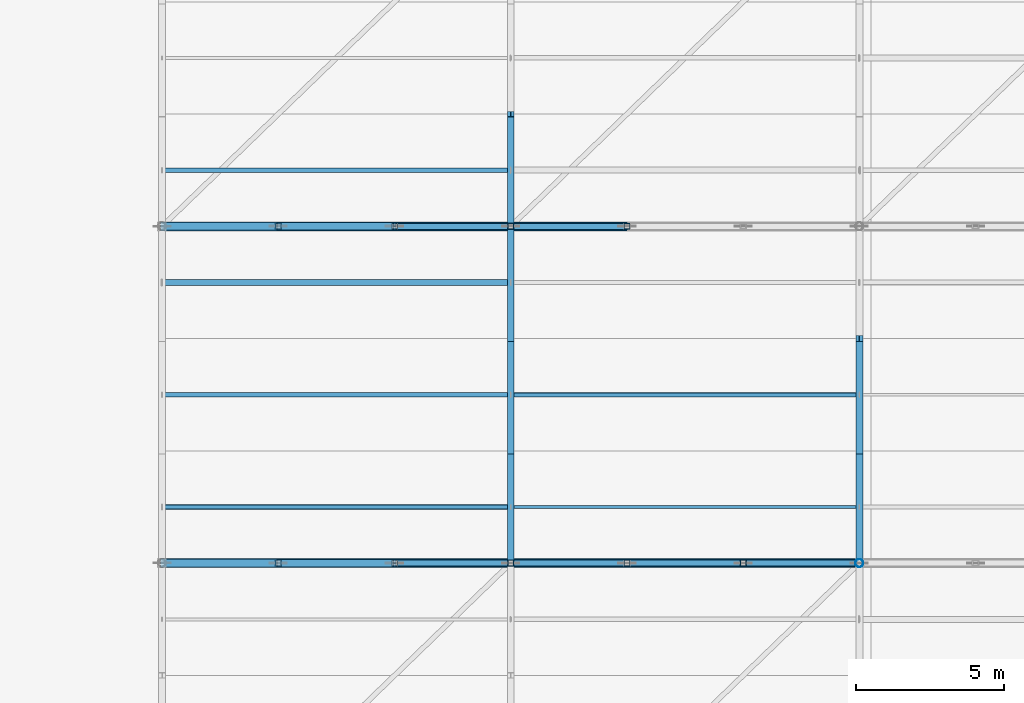
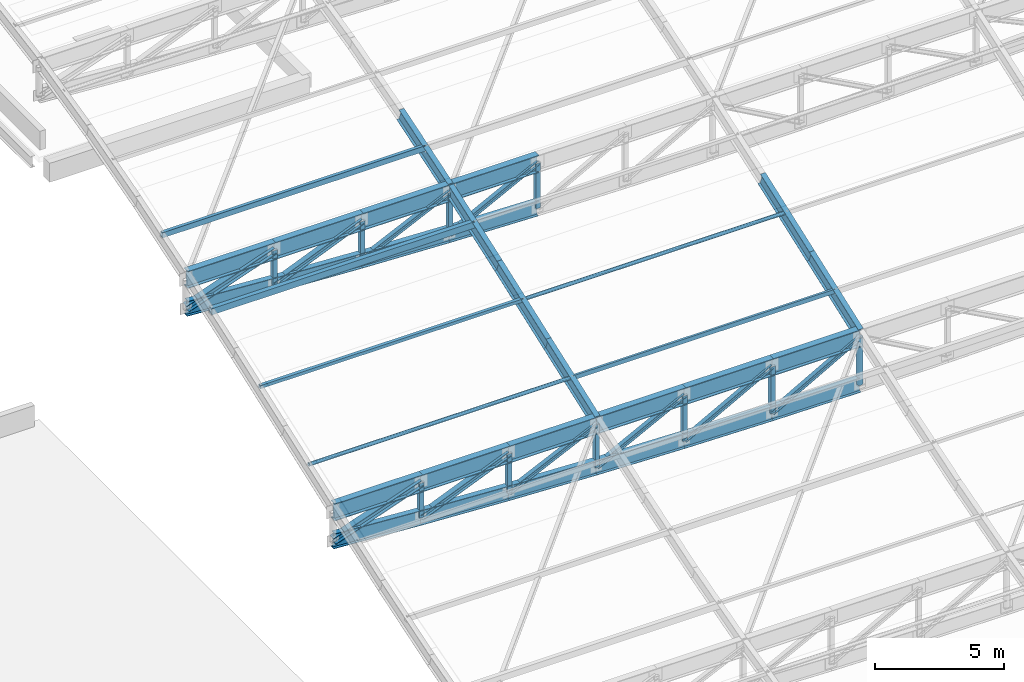
# One storey, part 21 of 65: 32 members, 20 beams.
"""IFC4 building model written with IfcOpenShell, lengths in metres."""

from ifc_helpers import new_model, si_unit, direction, frame, origin, origin_2d, place, context, subcontext, project, spatial, hollow_rectangle, hollow_circle, i_section, extrude, material, material_profile, profile_set, type_object, element, save


model = new_model("IFC4")

# Units and contexts
model_context = context("Model", 3, precision=1e-05, world=origin(), true_north=direction((0.0, 1.0)))
body_context = subcontext(model_context, "Body", "Model", "MODEL_VIEW")
ifc_project = project(units=[si_unit("LENGTHUNIT", "METRE"), si_unit("AREAUNIT", "SQUARE_METRE"), si_unit("VOLUMEUNIT", "CUBIC_METRE"), si_unit("PLANEANGLEUNIT", "RADIAN"), si_unit("MASSUNIT", "GRAM", prefix="KILO"), si_unit("POWERUNIT", "WATT"), si_unit("THERMODYNAMICTEMPERATUREUNIT", "KELVIN")], contexts=[model_context])

# Site, building, storey
site_placement = place(None, origin())
site = spatial("IfcSite", under=ifc_project, at=site_placement, CompositionType="ELEMENT")
building_placement = place(site_placement, origin())
building = spatial("IfcBuilding", under=site, at=building_placement, Name="Kelmbourne Parkland Aquatics Centre", CompositionType="ELEMENT")
storey_placement = place(building_placement, frame((0.0, 0.0, 27.0)))
storey = spatial("IfcBuildingStorey", under=building, at=storey_placement, Name="RF", CompositionType="ELEMENT", Elevation=27.0)

# Members
ifc_material_1 = material(Name="Structural steel AS/NZS 3679.1 Grade 300", Category="steel")
ifc_material_profile_1 = material_profile(ifc_material_1, i_section(OverallWidth=0.306884765625, OverallDepth=0.31494140625, WebThickness=0.011962890625, FlangeThickness=0.018798828125, at=origin_2d()), Name="310UC118")
ifc_profile_set_1 = profile_set([ifc_material_profile_1], Name="Structural steel AS/NZS 3679.1 Grade 300")
member_type_1 = type_object("IfcMemberType", Name="MB-DIAG1", PredefinedType="STRUT", material=ifc_profile_set_1)
for number, where, z_axis, x_axis, name in (
    (1, (128.0, 80.60009765625, -8.68505859375), (0.943617957768, 0.0, 0.331036478015), (0.0, 1.0, 0.0), "Roof truss R07 web diagonal 1"),
    (2, (128.0, 92.0, -4.5830078125), (0.94359966112, 0.0, 0.331088627913), (0.0, 1.0, 0.0), "Roof truss R08 web diagonal 1"),
):
    element("IfcMember", number, at=place(storey_placement, frame(where, z_axis=z_axis, x_axis=x_axis)), inside=storey, type_object=member_type_1, Name=name, PredefinedType="STRUT", context=body_context, shape_type="SweptSolid", body=[
        extrude(i_section(OverallWidth=0.306884765625, OverallDepth=0.31494140625, WebThickness=0.011962890625, FlangeThickness=0.018798828125, at=origin_2d()), origin(), (0.0, 0.0, 1.0), 4.16845703125),
    ])
ifc_material_profile_2 = material_profile(ifc_material_1, i_section(OverallWidth=0.256103515625, OverallDepth=0.260009765625, WebThickness=0.010498046875, FlangeThickness=0.017333984375, at=origin_2d()), Name="250UC89.5")
ifc_profile_set_2 = profile_set([ifc_material_profile_2], Name="Structural steel AS/NZS 3679.1 Grade 300")
member_type_2 = type_object("IfcMemberType", Name="MB-DIAG2", PredefinedType="STRUT", material=ifc_profile_set_2)
for number, where, z_axis, x_axis, name in (
    (3, (131.933349609375, 80.60009765625, -8.94482421875), (0.923014195881, 0.0, 0.384765895322), (0.0, 1.0, 0.0), "Roof truss R07 web diagonal 2"),
    (4, (131.933349609375, 92.0, -4.842529296875), (0.923014195881, 0.0, 0.384765895322), (0.0, 1.0, 0.0), "Roof truss R08 web diagonal 2"),
):
    element("IfcMember", number, at=place(storey_placement, frame(where, z_axis=z_axis, x_axis=x_axis)), inside=storey, type_object=member_type_2, Name=name, PredefinedType="STRUT", context=body_context, shape_type="SweptSolid", body=[
        extrude(i_section(OverallWidth=0.256103515625, OverallDepth=0.260009765625, WebThickness=0.010498046875, FlangeThickness=0.017333984375, at=origin_2d()), origin(), (0.0, 0.0, 1.0), 4.261474609375),
    ])
ifc_material_profile_3 = material_profile(ifc_material_1, i_section(OverallWidth=0.205078125, OverallDepth=0.2099609375, WebThickness=0.00927734375, FlangeThickness=0.01416015625, at=origin_2d()), Name="200UC59.5")
ifc_profile_set_3 = profile_set([ifc_material_profile_3], Name="Structural steel AS/NZS 3679.1 Grade 300")
member_type_3 = type_object("IfcMemberType", Name="MB-DIAG3", PredefinedType="STRUT", material=ifc_profile_set_3)
member_1_placement = place(storey_placement, frame((135.86669921875, 80.60009765625, -9.1572265625), z_axis=(0.904724503936, 0.0, 0.425997150199), x_axis=(0.0, 1.0, 0.0)))
element("IfcMember", 5, at=member_1_placement, inside=storey, type_object=member_type_3, Name="Roof truss R07 web diagonal 3", PredefinedType="STRUT", context=body_context, shape_type="SweptSolid", body=[
    extrude(i_section(OverallWidth=0.205078125, OverallDepth=0.2099609375, WebThickness=0.00927734375, FlangeThickness=0.01416015625, at=origin_2d()), origin(), (0.0, 0.0, 1.0), 4.34765625),
])
member_2_placement = place(storey_placement, frame((139.800048828125, 80.60009765625, -9.322509765625), z_axis=(0.889796186707, 0.0, 0.456358133621), x_axis=(0.0, 1.0, 0.0)))
element("IfcMember", 6, at=member_2_placement, inside=storey, type_object=member_type_3, Name="Roof truss R07 web diagonal 4", PredefinedType="STRUT", context=body_context, shape_type="SweptSolid", body=[
    extrude(i_section(OverallWidth=0.205078125, OverallDepth=0.2099609375, WebThickness=0.00927734375, FlangeThickness=0.01416015625, at=origin_2d()), origin(), (0.0, 0.0, 1.0), 4.42041015625),
])
member_3_placement = place(storey_placement, frame((143.7333984375, 80.60009765625, -9.440673828125), z_axis=(0.878829905293, 0.0, 0.477135198411), x_axis=(0.0, 1.0, 0.0)))
element("IfcMember", 7, at=member_3_placement, inside=storey, type_object=member_type_3, Name="Roof truss R07 web diagonal 5", PredefinedType="STRUT", context=body_context, shape_type="SweptSolid", body=[
    extrude(i_section(OverallWidth=0.205078125, OverallDepth=0.2099609375, WebThickness=0.00927734375, FlangeThickness=0.01416015625, at=origin_2d()), origin(), (0.0, 0.0, 1.0), 4.4755859375),
])
member_4_placement = place(storey_placement, frame((147.666748046875, 80.60009765625, -9.511474609375), z_axis=(0.872163322486, 0.0, 0.489214818776), x_axis=(0.0, 1.0, 0.0)))
element("IfcMember", 8, at=member_4_placement, inside=storey, type_object=member_type_3, Name="Roof truss R07 web diagonal 6", PredefinedType="STRUT", context=body_context, shape_type="SweptSolid", body=[
    extrude(i_section(OverallWidth=0.205078125, OverallDepth=0.2099609375, WebThickness=0.00927734375, FlangeThickness=0.01416015625, at=origin_2d()), origin(), (0.0, 0.0, 1.0), 4.509765625),
])
member_5_placement = place(storey_placement, frame((135.86669921875, 92.0, -5.05517578125), z_axis=(0.904702860314, 0.0, 0.426043113475), x_axis=(0.0, 1.0, 0.0)))
element("IfcMember", 9, at=member_5_placement, inside=storey, type_object=member_type_3, Name="Roof truss R08 web diagonal 3", PredefinedType="STRUT", context=body_context, shape_type="SweptSolid", body=[
    extrude(i_section(OverallWidth=0.205078125, OverallDepth=0.2099609375, WebThickness=0.00927734375, FlangeThickness=0.01416015625, at=origin_2d()), origin(), (0.0, 0.0, 1.0), 4.34765625),
])
member_6_placement = place(storey_placement, frame((139.800048828125, 92.0, -5.220458984375), z_axis=(0.889773759549, 0.0, 0.456401858911), x_axis=(0.0, 1.0, 0.0)))
element("IfcMember", 10, at=member_6_placement, inside=storey, type_object=member_type_3, Name="Roof truss R08 web diagonal 4", PredefinedType="STRUT", context=body_context, shape_type="SweptSolid", body=[
    extrude(i_section(OverallWidth=0.205078125, OverallDepth=0.2099609375, WebThickness=0.00927734375, FlangeThickness=0.01416015625, at=origin_2d()), origin(), (0.0, 0.0, 1.0), 4.420654296875),
])
ifc_material_profile_4 = material_profile(ifc_material_1, i_section(OverallWidth=0.22900390625, OverallDepth=0.612060546875, WebThickness=0.011962890625, FlangeThickness=0.01953125, at=origin_2d()), Name="610UB125")
ifc_profile_set_4 = profile_set([ifc_material_profile_4], Name="Structural steel AS/NZS 3679.1 Grade 300")
member_type_4 = type_object("IfcMemberType", Name="MB-LRIB", PredefinedType="STRUT", material=ifc_profile_set_4)
member_7_placement = place(storey_placement, frame((139.800048828125, 80.60009765625, -7.18505859375), z_axis=(0.0, 0.939534064945, 0.342455458136), x_axis=(-1.0, 0.0, 0.0)))
element("IfcMember", 11, at=member_7_placement, inside=storey, type_object=member_type_4, Name="Longitudinal wave rib K3 strip 22", PredefinedType="STRUT", context=body_context, shape_type="SweptSolid", body=[
    extrude(i_section(OverallWidth=0.22900390625, OverallDepth=0.612060546875, WebThickness=0.011962890625, FlangeThickness=0.01953125, at=origin_2d()), origin(), (0.0, 0.0, 1.0), 4.04443359375),
])
member_8_placement = place(storey_placement, frame((139.800048828125, 84.39990234375, -5.800048828125), z_axis=(0.0, 0.939521722115, 0.342489319067), x_axis=(-1.0, 0.0, 0.0)))
element("IfcMember", 12, at=member_8_placement, inside=storey, type_object=member_type_4, Name="Longitudinal wave rib K3 strip 23", PredefinedType="STRUT", context=body_context, shape_type="SweptSolid", body=[
    extrude(i_section(OverallWidth=0.22900390625, OverallDepth=0.612060546875, WebThickness=0.011962890625, FlangeThickness=0.01953125, at=origin_2d()), origin(), (0.0, 0.0, 1.0), 4.044677734375),
])
member_9_placement = place(storey_placement, frame((139.800048828125, 88.199951171875, -4.414794921875), z_axis=(0.0, 0.943721214003, 0.330741999511), x_axis=(-1.0, 0.0, 0.0)))
element("IfcMember", 13, at=member_9_placement, inside=storey, type_object=member_type_4, Name="Longitudinal wave rib K3 strip 24", PredefinedType="STRUT", context=body_context, shape_type="SweptSolid", body=[
    extrude(i_section(OverallWidth=0.22900390625, OverallDepth=0.612060546875, WebThickness=0.011962890625, FlangeThickness=0.01953125, at=origin_2d()), origin(), (0.0, 0.0, 1.0), 4.026611328125),
])
member_10_placement = place(storey_placement, frame((139.800048828125, 92.0, -3.0830078125), z_axis=(0.0, 0.951582923928, 0.307392158144), x_axis=(-1.0, 0.0, 0.0)))
element("IfcMember", 14, at=member_10_placement, inside=storey, type_object=member_type_4, Name="Longitudinal wave rib K3 strip 25", PredefinedType="STRUT", context=body_context, shape_type="SweptSolid", body=[
    extrude(i_section(OverallWidth=0.22900390625, OverallDepth=0.612060546875, WebThickness=0.011962890625, FlangeThickness=0.01953125, at=origin_2d()), origin(), (0.0, 0.0, 1.0), 3.993408203125),
])
member_11_placement = place(storey_placement, frame((151.60009765625, 80.60009765625, -7.18505859375), z_axis=(0.0, 0.939534064945, 0.342455458136), x_axis=(-1.0, 0.0, 0.0)))
element("IfcMember", 15, at=member_11_placement, inside=storey, type_object=member_type_4, Name="Longitudinal wave rib K6 strip 22", PredefinedType="STRUT", context=body_context, shape_type="SweptSolid", body=[
    extrude(i_section(OverallWidth=0.22900390625, OverallDepth=0.612060546875, WebThickness=0.011962890625, FlangeThickness=0.01953125, at=origin_2d()), origin(), (0.0, 0.0, 1.0), 4.04443359375),
])
member_12_placement = place(storey_placement, frame((151.60009765625, 84.39990234375, -5.800048828125), z_axis=(0.0, 0.939521722115, 0.342489319067), x_axis=(-1.0, 0.0, 0.0)))
element("IfcMember", 16, at=member_12_placement, inside=storey, type_object=member_type_4, Name="Longitudinal wave rib K6 strip 23", PredefinedType="STRUT", context=body_context, shape_type="SweptSolid", body=[
    extrude(i_section(OverallWidth=0.22900390625, OverallDepth=0.612060546875, WebThickness=0.011962890625, FlangeThickness=0.01953125, at=origin_2d()), origin(), (0.0, 0.0, 1.0), 4.044677734375),
])
ifc_material_2 = material(Name="Cold-formed hollow steel AS/NZS 1163 C350L0", Category="steel")
ifc_material_profile_5 = material_profile(ifc_material_2, hollow_rectangle(XDim=0.199951171875, YDim=0.199951171875, WallThickness=0.010009765625, at=origin_2d()), Name="SHS 200x200x10.0")
ifc_profile_set_5 = profile_set([ifc_material_profile_5], Name="Cold-formed hollow steel AS/NZS 1163 C350L0")
member_type_5 = type_object("IfcMemberType", Name="MB-POST1", PredefinedType="STRUT", material=ifc_profile_set_5)
member_13_placement = place(storey_placement, frame((131.933349609375, 80.60009765625, -8.94482421875), z_axis=(0.0, 0.0, 1.0), x_axis=(1.0, 0.0, 0.0)))
element("IfcMember", 17, at=member_13_placement, inside=storey, type_object=member_type_5, Name="Roof truss R07 vertical post 1", PredefinedType="STRUT", context=body_context, shape_type="SweptSolid", body=[
    extrude(hollow_rectangle(XDim=0.199951171875, YDim=0.199951171875, WallThickness=0.010009765625, at=origin_2d()), origin(), (0.0, 0.0, 1.0), 1.6396484375),
])
member_14_placement = place(storey_placement, frame((135.86669921875, 80.60009765625, -9.1572265625), z_axis=(0.0, 0.0, 1.0), x_axis=(1.0, 0.0, 0.0)))
element("IfcMember", 18, at=member_14_placement, inside=storey, type_object=member_type_5, Name="Roof truss R07 vertical post 2", PredefinedType="STRUT", context=body_context, shape_type="SweptSolid", body=[
    extrude(hollow_rectangle(XDim=0.199951171875, YDim=0.199951171875, WallThickness=0.010009765625, at=origin_2d()), origin(), (0.0, 0.0, 1.0), 1.85205078125),
])
member_15_placement = place(storey_placement, frame((139.800048828125, 80.60009765625, -9.322509765625), z_axis=(0.0, 0.0, 1.0), x_axis=(1.0, 0.0, 0.0)))
element("IfcMember", 19, at=member_15_placement, inside=storey, type_object=member_type_5, Name="Roof truss R07 vertical post 3", PredefinedType="STRUT", context=body_context, shape_type="SweptSolid", body=[
    extrude(hollow_rectangle(XDim=0.199951171875, YDim=0.199951171875, WallThickness=0.010009765625, at=origin_2d()), origin(), (0.0, 0.0, 1.0), 2.017333984375),
])
member_16_placement = place(storey_placement, frame((143.7333984375, 80.60009765625, -9.440673828125), z_axis=(0.0, 0.0, 1.0), x_axis=(1.0, 0.0, 0.0)))
element("IfcMember", 20, at=member_16_placement, inside=storey, type_object=member_type_5, Name="Roof truss R07 vertical post 4", PredefinedType="STRUT", context=body_context, shape_type="SweptSolid", body=[
    extrude(hollow_rectangle(XDim=0.199951171875, YDim=0.199951171875, WallThickness=0.010009765625, at=origin_2d()), origin(), (0.0, 0.0, 1.0), 2.135498046875),
])
member_17_placement = place(storey_placement, frame((147.666748046875, 80.60009765625, -9.511474609375), z_axis=(0.0, 0.0, 1.0), x_axis=(1.0, 0.0, 0.0)))
element("IfcMember", 21, at=member_17_placement, inside=storey, type_object=member_type_5, Name="Roof truss R07 vertical post 5", PredefinedType="STRUT", context=body_context, shape_type="SweptSolid", body=[
    extrude(hollow_rectangle(XDim=0.199951171875, YDim=0.199951171875, WallThickness=0.010009765625, at=origin_2d()), origin(), (0.0, 0.0, 1.0), 2.206298828125),
])
member_18_placement = place(storey_placement, frame((131.933349609375, 92.0, -4.842529296875), z_axis=(0.0, 0.0, 1.0), x_axis=(1.0, 0.0, 0.0)))
element("IfcMember", 22, at=member_18_placement, inside=storey, type_object=member_type_5, Name="Roof truss R08 vertical post 1", PredefinedType="STRUT", context=body_context, shape_type="SweptSolid", body=[
    extrude(hollow_rectangle(XDim=0.199951171875, YDim=0.199951171875, WallThickness=0.010009765625, at=origin_2d()), origin(), (0.0, 0.0, 1.0), 1.6396484375),
])
member_19_placement = place(storey_placement, frame((135.86669921875, 92.0, -5.05517578125), z_axis=(0.0, 0.0, 1.0), x_axis=(1.0, 0.0, 0.0)))
element("IfcMember", 23, at=member_19_placement, inside=storey, type_object=member_type_5, Name="Roof truss R08 vertical post 2", PredefinedType="STRUT", context=body_context, shape_type="SweptSolid", body=[
    extrude(hollow_rectangle(XDim=0.199951171875, YDim=0.199951171875, WallThickness=0.010009765625, at=origin_2d()), origin(), (0.0, 0.0, 1.0), 1.852294921875),
])
member_20_placement = place(storey_placement, frame((139.800048828125, 92.0, -5.220458984375), z_axis=(0.0, 0.0, 1.0), x_axis=(1.0, 0.0, 0.0)))
element("IfcMember", 24, at=member_20_placement, inside=storey, type_object=member_type_5, Name="Roof truss R08 vertical post 3", PredefinedType="STRUT", context=body_context, shape_type="SweptSolid", body=[
    extrude(hollow_rectangle(XDim=0.199951171875, YDim=0.199951171875, WallThickness=0.010009765625, at=origin_2d()), origin(), (0.0, 0.0, 1.0), 2.017578125),
])
member_21_placement = place(storey_placement, frame((143.7333984375, 92.0, -5.33837890625), z_axis=(0.0, 0.0, 1.0), x_axis=(1.0, 0.0, 0.0)))
element("IfcMember", 25, at=member_21_placement, inside=storey, type_object=member_type_5, Name="Roof truss R08 vertical post 4", PredefinedType="STRUT", context=body_context, shape_type="SweptSolid", body=[
    extrude(hollow_rectangle(XDim=0.199951171875, YDim=0.199951171875, WallThickness=0.010009765625, at=origin_2d()), origin(), (0.0, 0.0, 1.0), 2.135498046875),
])
ifc_material_profile_6 = material_profile(ifc_material_2, hollow_circle(Radius=0.136474609375, WallThickness=0.00927734375, at=origin_2d()), Name="CHS 273.1x9.3")
ifc_profile_set_6 = profile_set([ifc_material_profile_6], Name="Cold-formed hollow steel AS/NZS 1163 C350L0")
member_type_6 = type_object("IfcMemberType", Name="MB-POST2", PredefinedType="STRUT", material=ifc_profile_set_6)
member_22_placement = place(storey_placement, frame((151.60009765625, 80.60009765625, -9.53515625), z_axis=(0.0, 0.0, 1.0), x_axis=(1.0, 0.0, 0.0)))
element("IfcMember", 26, at=member_22_placement, inside=storey, type_object=member_type_6, Name="Roof truss R07 vertical post 6", PredefinedType="STRUT", context=body_context, shape_type="SweptSolid", body=[
    extrude(hollow_circle(Radius=0.136474609375, WallThickness=0.00927734375, at=origin_2d()), origin(), (0.0, 0.0, 1.0), 2.22998046875),
])
ifc_material_profile_7 = material_profile(ifc_material_2, hollow_rectangle(XDim=0.10009765625, YDim=0.199951171875, WallThickness=0.006103515625, at=origin_2d()), Name="RHS 200x100x6.0")
ifc_profile_set_7 = profile_set([ifc_material_profile_7], Name="Cold-formed hollow steel AS/NZS 1163 C350L0")
member_type_7 = type_object("IfcMemberType", Name="MB-PUR1", PredefinedType="PURLIN", material=ifc_profile_set_7)
member_23_placement = place(storey_placement, frame((139.800048828125, 82.5, -6.28271484375), z_axis=(1.0, 0.0, 0.0), x_axis=(0.0, 1.0, 0.0)))
element("IfcMember", 27, at=member_23_placement, inside=storey, type_object=member_type_7, Name="Wave roof purlin S22-G2", PredefinedType="PURLIN", context=body_context, shape_type="SweptSolid", body=[
    extrude(hollow_rectangle(XDim=0.10009765625, YDim=0.199951171875, WallThickness=0.006103515625, at=origin_2d()), origin(), (0.0, 0.0, 1.0), 11.800048828125),
])
ifc_material_profile_8 = material_profile(ifc_material_2, hollow_rectangle(XDim=0.14990234375, YDim=0.25, WallThickness=0.009033203125, at=origin_2d()), Name="RHS 250x150x9.0")
ifc_profile_set_8 = profile_set([ifc_material_profile_8], Name="Cold-formed hollow steel AS/NZS 1163 C350L0")
member_type_8 = type_object("IfcMemberType", Name="MB-PUR2", PredefinedType="PURLIN", material=ifc_profile_set_8)
member_24_placement = place(storey_placement, frame((128.0, 93.89990234375, -2.2841796875), z_axis=(1.0, 0.0, 0.0), x_axis=(0.0, 1.0, 0.0)))
element("IfcMember", 28, at=member_24_placement, inside=storey, type_object=member_type_8, Name="Wave roof purlin S25-G1", PredefinedType="PURLIN", context=body_context, shape_type="SweptSolid", body=[
    extrude(hollow_rectangle(XDim=0.14990234375, YDim=0.25, WallThickness=0.009033203125, at=origin_2d()), origin(), (0.0, 0.0, 1.0), 11.800048828125),
])
ifc_material_profile_9 = material_profile(ifc_material_2, hollow_rectangle(XDim=0.199951171875, YDim=0.300048828125, WallThickness=0.010009765625, at=origin_2d()), Name="RHS 300x200x10.0")
ifc_profile_set_9 = profile_set([ifc_material_profile_9], Name="Cold-formed hollow steel AS/NZS 1163 C350L0")
member_type_9 = type_object("IfcMemberType", Name="MB-PUR3", PredefinedType="PURLIN", material=ifc_profile_set_9)
member_25_placement = place(storey_placement, frame((128.0, 90.10009765625, -3.5888671875), z_axis=(1.0, 0.0, 0.0), x_axis=(0.0, 1.0, 0.0)))
element("IfcMember", 29, at=member_25_placement, inside=storey, type_object=member_type_9, Name="Wave roof purlin S24-G1", PredefinedType="PURLIN", context=body_context, shape_type="SweptSolid", body=[
    extrude(hollow_rectangle(XDim=0.199951171875, YDim=0.300048828125, WallThickness=0.010009765625, at=origin_2d()), origin(), (0.0, 0.0, 1.0), 11.800048828125),
])
ifc_material_profile_10 = material_profile(ifc_material_2, hollow_rectangle(XDim=0.14990234375, YDim=0.14990234375, WallThickness=0.009033203125, at=origin_2d()), Name="SHS 150x150x9.0")
ifc_profile_set_10 = profile_set([ifc_material_profile_10], Name="Cold-formed hollow steel AS/NZS 1163 C350L0")
member_type_10 = type_object("IfcMemberType", Name="MB-PUR4", PredefinedType="PURLIN", material=ifc_profile_set_10)
member_26_placement = place(storey_placement, frame((128.0, 86.300048828125, -4.87255859375), z_axis=(1.0, 0.0, 0.0), x_axis=(0.0, 1.0, 0.0)))
element("IfcMember", 30, at=member_26_placement, inside=storey, type_object=member_type_10, Name="Wave roof purlin S23-G1", PredefinedType="PURLIN", context=body_context, shape_type="SweptSolid", body=[
    extrude(hollow_rectangle(XDim=0.14990234375, YDim=0.14990234375, WallThickness=0.009033203125, at=origin_2d()), origin(), (0.0, 0.0, 1.0), 11.800048828125),
])
ifc_material_profile_11 = material_profile(ifc_material_2, hollow_circle(Radius=0.084228515625, WallThickness=0.007080078125, at=origin_2d()), Name="CHS 168.3x7.1")
ifc_profile_set_11 = profile_set([ifc_material_profile_11], Name="Cold-formed hollow steel AS/NZS 1163 C350L0")
member_type_11 = type_object("IfcMemberType", Name="MB-PUR5", PredefinedType="PURLIN", material=ifc_profile_set_11)
for number, where, z_axis, x_axis, name in (
    (31, (128.0, 82.5, -6.2666015625), (1.0, 0.0, 0.0), (0.0, 1.0, 0.0), "Wave roof purlin S22-G1"),
    (32, (139.800048828125, 86.300048828125, -4.881591796875), (1.0, 0.0, 0.0), (0.0, 1.0, 0.0), "Wave roof purlin S23-G2"),
):
    element("IfcMember", number, at=place(storey_placement, frame(where, z_axis=z_axis, x_axis=x_axis)), inside=storey, type_object=member_type_11, Name=name, PredefinedType="PURLIN", context=body_context, shape_type="SweptSolid", body=[
        extrude(hollow_circle(Radius=0.084228515625, WallThickness=0.007080078125, at=origin_2d()), origin(), (0.0, 0.0, 1.0), 11.800048828125),
    ])

# Beams
ifc_material_3 = material(Name="Welded plate steel AS/NZS 3678 Grade 350", Category="steel")
ifc_material_profile_12 = material_profile(ifc_material_3, i_section(OverallWidth=0.25, OverallDepth=0.699951171875, WebThickness=0.010009765625, FlangeThickness=0.02001953125, at=origin_2d()), Name="700WB130")
ifc_profile_set_12 = profile_set([ifc_material_profile_12], Name="Welded plate steel AS/NZS 3678 Grade 350")
beam_type_1 = type_object("IfcBeamType", Name="TR-BC2", PredefinedType="BEAM", material=ifc_profile_set_12)
beam_1_placement = place(storey_placement, frame((128.0, 80.60009765625, -8.68505859375), z_axis=(0.997826345785, 0.0, -0.065898282659), x_axis=(0.0, 1.0, 0.0)))
element("IfcBeam", 33, at=beam_1_placement, inside=storey, type_object=beam_type_1, Name="Roof truss R07 bottom chord 1", PredefinedType="BEAM", context=body_context, shape_type="SweptSolid", body=[
    extrude(i_section(OverallWidth=0.25, OverallDepth=0.699951171875, WebThickness=0.010009765625, FlangeThickness=0.02001953125, at=origin_2d()), origin(), (0.0, 0.0, 1.0), 3.94189453125),
])
beam_2_placement = place(storey_placement, frame((131.933349609375, 80.60009765625, -8.94482421875), z_axis=(0.998545160894, 0.0, -0.053921810563), x_axis=(0.0, 1.0, 0.0)))
element("IfcBeam", 34, at=beam_2_placement, inside=storey, type_object=beam_type_1, Name="Roof truss R07 bottom chord 2", PredefinedType="BEAM", context=body_context, shape_type="SweptSolid", body=[
    extrude(i_section(OverallWidth=0.25, OverallDepth=0.699951171875, WebThickness=0.010009765625, FlangeThickness=0.02001953125, at=origin_2d()), origin(), (0.0, 0.0, 1.0), 3.93896484375),
])
beam_3_placement = place(storey_placement, frame((135.86669921875, 80.60009765625, -9.1572265625), z_axis=(0.999118286144, 0.0, -0.041983928975), x_axis=(0.0, 1.0, 0.0)))
element("IfcBeam", 35, at=beam_3_placement, inside=storey, type_object=beam_type_1, Name="Roof truss R07 bottom chord 3", PredefinedType="BEAM", context=body_context, shape_type="SweptSolid", body=[
    extrude(i_section(OverallWidth=0.25, OverallDepth=0.699951171875, WebThickness=0.010009765625, FlangeThickness=0.02001953125, at=origin_2d()), origin(), (0.0, 0.0, 1.0), 3.936767578125),
])
beam_4_placement = place(storey_placement, frame((139.800048828125, 80.60009765625, -9.322509765625), z_axis=(0.999549056749, 0.0, -0.030028039443), x_axis=(0.0, 1.0, 0.0)))
element("IfcBeam", 36, at=beam_4_placement, inside=storey, type_object=beam_type_1, Name="Roof truss R07 bottom chord 4", PredefinedType="BEAM", context=body_context, shape_type="SweptSolid", body=[
    extrude(i_section(OverallWidth=0.25, OverallDepth=0.699951171875, WebThickness=0.010009765625, FlangeThickness=0.02001953125, at=origin_2d()), origin(), (0.0, 0.0, 1.0), 3.93505859375),
])
beam_5_placement = place(storey_placement, frame((143.7333984375, 80.60009765625, -9.440673828125), z_axis=(0.999838037122, 0.0, -0.017997208787), x_axis=(0.0, 1.0, 0.0)))
element("IfcBeam", 37, at=beam_5_placement, inside=storey, type_object=beam_type_1, Name="Roof truss R07 bottom chord 5", PredefinedType="BEAM", context=body_context, shape_type="SweptSolid", body=[
    extrude(i_section(OverallWidth=0.25, OverallDepth=0.699951171875, WebThickness=0.010009765625, FlangeThickness=0.02001953125, at=origin_2d()), origin(), (0.0, 0.0, 1.0), 3.93408203125),
])
beam_6_placement = place(storey_placement, frame((147.666748046875, 80.60009765625, -9.511474609375), z_axis=(0.999981875891, 0.0, -0.006020622057), x_axis=(0.0, 1.0, 0.0)))
element("IfcBeam", 38, at=beam_6_placement, inside=storey, type_object=beam_type_1, Name="Roof truss R07 bottom chord 6", PredefinedType="BEAM", context=body_context, shape_type="SweptSolid", body=[
    extrude(i_section(OverallWidth=0.25, OverallDepth=0.699951171875, WebThickness=0.010009765625, FlangeThickness=0.02001953125, at=origin_2d()), origin(), (0.0, 0.0, 1.0), 3.933349609375),
])
beam_7_placement = place(storey_placement, frame((128.0, 92.0, -4.5830078125), z_axis=(0.9978304164, 0.0, -0.065836616761), x_axis=(0.0, 1.0, 0.0)))
element("IfcBeam", 39, at=beam_7_placement, inside=storey, type_object=beam_type_1, Name="Roof truss R08 bottom chord 1", PredefinedType="BEAM", context=body_context, shape_type="SweptSolid", body=[
    extrude(i_section(OverallWidth=0.25, OverallDepth=0.699951171875, WebThickness=0.010009765625, FlangeThickness=0.02001953125, at=origin_2d()), origin(), (0.0, 0.0, 1.0), 3.94189453125),
])
beam_8_placement = place(storey_placement, frame((131.933349609375, 92.0, -4.842529296875), z_axis=(0.99854182183, 0.0, -0.053983609138), x_axis=(0.0, 1.0, 0.0)))
element("IfcBeam", 40, at=beam_8_placement, inside=storey, type_object=beam_type_1, Name="Roof truss R08 bottom chord 2", PredefinedType="BEAM", context=body_context, shape_type="SweptSolid", body=[
    extrude(i_section(OverallWidth=0.25, OverallDepth=0.699951171875, WebThickness=0.010009765625, FlangeThickness=0.02001953125, at=origin_2d()), origin(), (0.0, 0.0, 1.0), 3.939208984375),
])
beam_9_placement = place(storey_placement, frame((135.86669921875, 92.0, -5.05517578125), z_axis=(0.999118286144, 0.0, -0.041983928975), x_axis=(0.0, 1.0, 0.0)))
element("IfcBeam", 41, at=beam_9_placement, inside=storey, type_object=beam_type_1, Name="Roof truss R08 bottom chord 3", PredefinedType="BEAM", context=body_context, shape_type="SweptSolid", body=[
    extrude(i_section(OverallWidth=0.25, OverallDepth=0.699951171875, WebThickness=0.010009765625, FlangeThickness=0.02001953125, at=origin_2d()), origin(), (0.0, 0.0, 1.0), 3.936767578125),
])
beam_10_placement = place(storey_placement, frame((139.800048828125, 92.0, -5.220458984375), z_axis=(0.999550916972, 0.0, -0.029966053808), x_axis=(0.0, 1.0, 0.0)))
element("IfcBeam", 42, at=beam_10_placement, inside=storey, type_object=beam_type_1, Name="Roof truss R08 bottom chord 4", PredefinedType="BEAM", context=body_context, shape_type="SweptSolid", body=[
    extrude(i_section(OverallWidth=0.25, OverallDepth=0.699951171875, WebThickness=0.010009765625, FlangeThickness=0.02001953125, at=origin_2d()), origin(), (0.0, 0.0, 1.0), 3.93505859375),
])
ifc_material_profile_13 = material_profile(ifc_material_3, i_section(OverallWidth=0.300048828125, OverallDepth=0.81591796875, WebThickness=0.011962890625, FlangeThickness=0.028076171875, at=origin_2d()), Name="800WB192")
ifc_profile_set_13 = profile_set([ifc_material_profile_13], Name="Welded plate steel AS/NZS 3678 Grade 350")
beam_type_2 = type_object("IfcBeamType", Name="TR-TC2", PredefinedType="BEAM", material=ifc_profile_set_13)
for number, where, z_axis, x_axis, name in (
    (43, (128.0, 80.60009765625, -7.30517578125), (1.0, 0.0, 0.0), (0.0, 1.0, 0.0), "Roof truss R07 top chord 1"),
    (44, (131.933349609375, 80.60009765625, -7.30517578125), (1.0, 0.0, 0.0), (0.0, 1.0, 0.0), "Roof truss R07 top chord 2"),
    (45, (135.86669921875, 80.60009765625, -7.30517578125), (1.0, 0.0, 0.0), (0.0, 1.0, 0.0), "Roof truss R07 top chord 3"),
    (46, (139.800048828125, 80.60009765625, -7.30517578125), (1.0, 0.0, 0.0), (0.0, 1.0, 0.0), "Roof truss R07 top chord 4"),
    (47, (143.7333984375, 80.60009765625, -7.30517578125), (1.0, 0.0, 0.0), (0.0, 1.0, 0.0), "Roof truss R07 top chord 5"),
    (48, (147.666748046875, 80.60009765625, -7.30517578125), (1.0, 0.0, 0.0), (0.0, 1.0, 0.0), "Roof truss R07 top chord 6"),
    (49, (128.0, 92.0, -3.202880859375), (1.0, 0.0, 0.0), (0.0, 1.0, 0.0), "Roof truss R08 top chord 1"),
    (50, (131.933349609375, 92.0, -3.202880859375), (1.0, 0.0, 0.0), (0.0, 1.0, 0.0), "Roof truss R08 top chord 2"),
    (51, (135.86669921875, 92.0, -3.202880859375), (1.0, 0.0, 0.0), (0.0, 1.0, 0.0), "Roof truss R08 top chord 3"),
    (52, (139.800048828125, 92.0, -3.202880859375), (1.0, 0.0, 0.0), (0.0, 1.0, 0.0), "Roof truss R08 top chord 4"),
):
    element("IfcBeam", number, at=place(storey_placement, frame(where, z_axis=z_axis, x_axis=x_axis)), inside=storey, type_object=beam_type_2, Name=name, PredefinedType="BEAM", context=body_context, shape_type="SweptSolid", body=[
        extrude(i_section(OverallWidth=0.300048828125, OverallDepth=0.81591796875, WebThickness=0.011962890625, FlangeThickness=0.028076171875, at=origin_2d()), origin(), (0.0, 0.0, 1.0), 3.933349609375),
    ])

save(model, "model.ifc")
